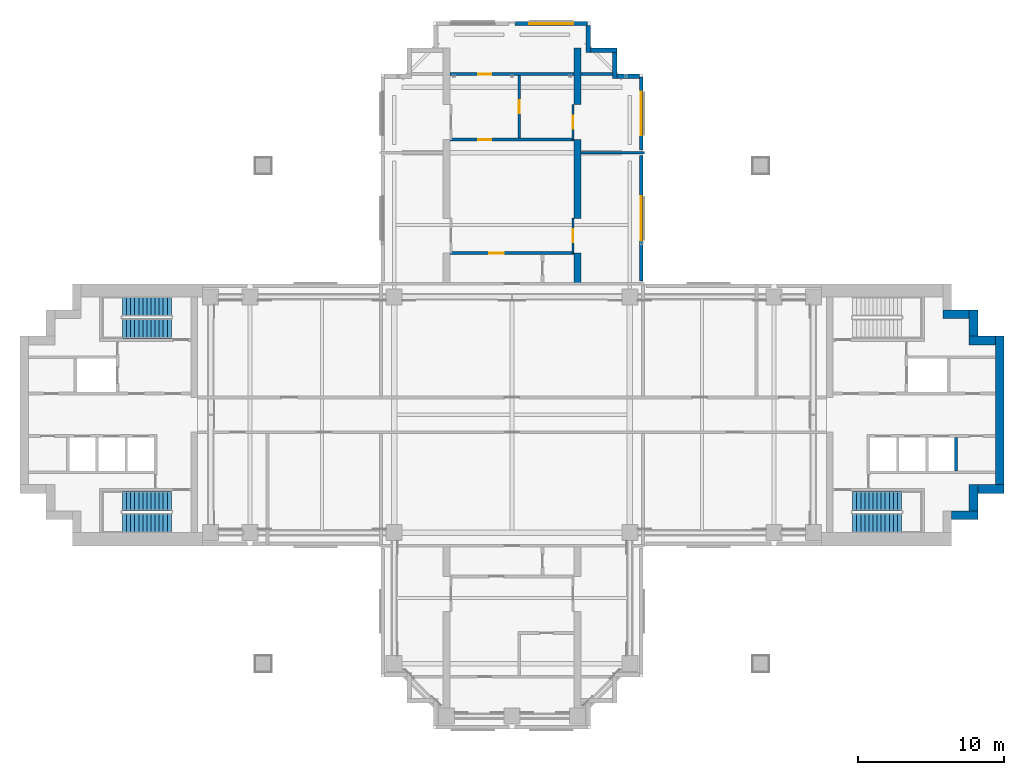
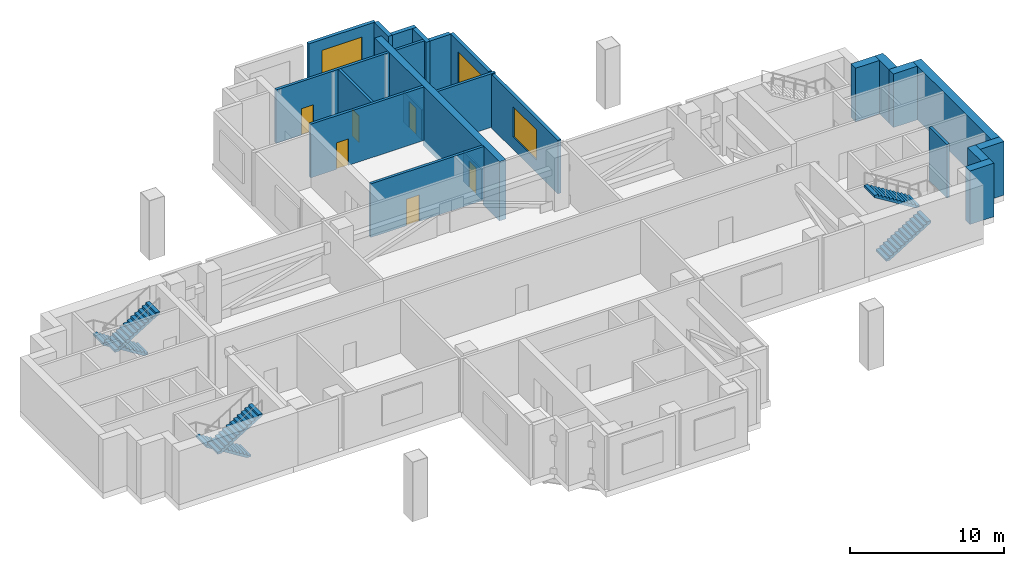
# One storey, part 8 of 11: 24 walls, 6 doors, 6 stair flights, 3 windows, 9 openings, 3 elements without a shape of their own.
"""IFC4 building model written with IfcOpenShell, lengths in metres."""

from ifc_helpers import new_model, si_unit, direction, frame, frame_2d, origin, place, context, subcontext, project, spatial, polyline, rectangle, outline, extrude, material, layer, layer_set, material_profile, profile_set, type_object, element, fill, aggregate, save


model = new_model("IFC4")

# Units and contexts
model_context = context("Model", 3, precision=1e-05, world=origin(), true_north=direction((0.0, 1.0)))
body_context = subcontext(model_context, "Body", "Model", "MODEL_VIEW")
ifc_project = project(units=[si_unit("LENGTHUNIT", "METRE"), si_unit("AREAUNIT", "SQUARE_METRE"), si_unit("VOLUMEUNIT", "CUBIC_METRE"), si_unit("PLANEANGLEUNIT", "RADIAN"), si_unit("MASSUNIT", "GRAM", prefix="KILO")], contexts=[model_context])

# Site, building, storey
site_placement = place(None, origin())
site = spatial("IfcSite", under=ifc_project, at=site_placement, CompositionType="ELEMENT")
building_placement = place(site_placement, origin())
building = spatial("IfcBuilding", under=site, at=building_placement, Name="Perihelion Cross Residences", CompositionType="ELEMENT")
storey_placement = place(building_placement, frame((0.0, 0.0, 162.10009765625)))
storey = spatial("IfcBuildingStorey", under=building, at=storey_placement, Name="L39", CompositionType="ELEMENT", Elevation=162.10009765625)

# Wall, opening, door
ifc_material_1 = material(Name="Plasterboard partition")
ifc_layer_1 = layer(ifc_material_1, 0.199951171875)
ifc_layer_set_1 = layer_set([ifc_layer_1], Name="Apartment riser wall 200")
wall_type_1 = type_object("IfcWallType", Name="Apartment riser wall 200", PredefinedType="PARTITIONING", material=ifc_layer_set_1)
wall_1_placement = place(storey_placement, frame((-4.25, 11.10009765625, 0.0), z_axis=(0.0, 0.0, 1.0), x_axis=(1.0, 0.0, 0.0)))
wall_1 = element("IfcWall", 1, at=wall_1_placement, inside=storey, type_object=wall_type_1, Name="Partition L39 W014", PredefinedType="PARTITIONING", context=body_context, shape_type="SweptSolid", body=[
    extrude(rectangle(XDim=8.5, YDim=0.199951171875, at=frame_2d((4.25, 0.0))), origin(), (0.0, 0.0, 1.0), 4.25),
])
opening_1_placement = place(wall_1_placement, frame((2.675048828125, 0.0, 0.0)))
opening_1 = element("IfcOpeningElement", 2, at=opening_1_placement, cuts=wall_1, Name="Opening L39.A11", PredefinedType="OPENING", context=body_context, shape_type="SweptSolid", body=[
    extrude(rectangle(XDim=1.0, YDim=2.10009765625, at=frame_2d((0.5, 1.050048828125))), frame((0.0, 0.10986328125, 0.0), z_axis=(0.0, -1.0, 0.0), x_axis=(1.0, 0.0, 0.0)), (0.0, 0.0, 1.0), 0.219970703125),
])
ifc_material_2 = material(Name="Steel door leaf", Category="steel")
door_type_1 = type_object("IfcDoorType", Name="Plant floor door 1000 x 2100", OperationType="SINGLE_SWING_LEFT", PredefinedType="DOOR", material=ifc_material_2)
door_1_placement = place(opening_1_placement, origin())
door_1 = element("IfcDoor", 3, at=door_1_placement, inside=storey, type_object=door_type_1, Name="Door L39.A11", OperationType="SINGLE_SWING_RIGHT", OverallHeight=2.10009765625, OverallWidth=1.0, PredefinedType="DOOR", context=body_context, shape_type="SweptSolid", body=[
    extrude(rectangle(XDim=1.0, YDim=2.10009765625, at=frame_2d((0.5, 1.050048828125))), frame((0.0, 0.02490234375, 0.0), z_axis=(0.0, -1.0, 0.0), x_axis=(1.0, 0.0, 0.0)), (0.0, 0.0, 1.0), 0.050048828125),
])
fill(opening_1, door_1)

wall_2_placement = place(storey_placement, frame((-4.25, 18.89990234375, 0.0), z_axis=(0.0, 0.0, 1.0), x_axis=(1.0, 0.0, 0.0)))
wall_2 = element("IfcWall", 4, at=wall_2_placement, inside=storey, type_object=wall_type_1, Name="Partition L39 W015", PredefinedType="PARTITIONING", context=body_context, shape_type="SweptSolid", body=[
    extrude(rectangle(XDim=8.5, YDim=0.199951171875, at=frame_2d((4.25, 0.0))), origin(), (0.0, 0.0, 1.0), 4.25),
])
opening_2_placement = place(wall_2_placement, frame((1.925048828125, 0.0, 0.0)))
opening_2 = element("IfcOpeningElement", 5, at=opening_2_placement, cuts=wall_2, Name="Opening L39.A12", PredefinedType="OPENING", context=body_context, shape_type="SweptSolid", body=[
    extrude(rectangle(XDim=0.89990234375, YDim=2.10009765625, at=frame_2d((0.449951171875, 1.050048828125))), frame((0.0, 0.10986328125, 0.0), z_axis=(0.0, -1.0, 0.0), x_axis=(1.0, 0.0, 0.0)), (0.0, 0.0, 1.0), 0.219970703125),
])
ifc_material_3 = material(Name="Timber door leaf", Category="wood")
door_type_2 = type_object("IfcDoorType", Name="Interior room door 900 x 2100", OperationType="SINGLE_SWING_LEFT", PredefinedType="DOOR", material=ifc_material_3)
door_2_placement = place(opening_2_placement, origin())
door_2 = element("IfcDoor", 6, at=door_2_placement, inside=storey, type_object=door_type_2, Name="Door L39.A12", OperationType="SINGLE_SWING_LEFT", OverallHeight=2.10009765625, OverallWidth=0.89990234375, PredefinedType="DOOR", context=body_context, shape_type="SweptSolid", body=[
    extrude(rectangle(XDim=0.89990234375, YDim=2.10009765625, at=frame_2d((0.449951171875, 1.050048828125))), frame((0.0, 0.02490234375, 0.0), z_axis=(0.0, -1.0, 0.0), x_axis=(1.0, 0.0, 0.0)), (0.0, 0.0, 1.0), 0.050048828125),
])
fill(opening_2, door_2)

wall_3_placement = place(storey_placement, frame((0.5, 23.300048828125, 0.0), z_axis=(0.0, 0.0, 1.0), x_axis=(0.0, -1.0, 0.0)))
wall_3 = element("IfcWall", 7, at=wall_3_placement, inside=storey, type_object=wall_type_1, Name="Partition L39 W016", PredefinedType="PARTITIONING", context=body_context, shape_type="SweptSolid", body=[
    extrude(rectangle(XDim=4.300048828125, YDim=0.199951171875, at=frame_2d((2.14990234375, 0.0))), origin(), (0.0, 0.0, 1.0), 4.25),
])
opening_3_placement = place(wall_3_placement, frame((1.699951171875, 0.0, 0.0)))
opening_3 = element("IfcOpeningElement", 8, at=opening_3_placement, cuts=wall_3, Name="Opening L39.A13", PredefinedType="OPENING", context=body_context, shape_type="SweptSolid", body=[
    extrude(rectangle(XDim=0.89990234375, YDim=2.10009765625, at=frame_2d((0.449951171875, 1.050048828125))), frame((0.0, 0.10986328125, 0.0), z_axis=(0.0, -1.0, 0.0), x_axis=(1.0, 0.0, 0.0)), (0.0, 0.0, 1.0), 0.219970703125),
])
door_3_placement = place(opening_3_placement, origin())
door_3 = element("IfcDoor", 9, at=door_3_placement, inside=storey, type_object=door_type_2, Name="Door L39.A13", OperationType="SINGLE_SWING_RIGHT", OverallHeight=2.10009765625, OverallWidth=0.89990234375, PredefinedType="DOOR", context=body_context, shape_type="SweptSolid", body=[
    extrude(rectangle(XDim=0.89990234375, YDim=2.10009765625, at=frame_2d((0.449951171875, 1.050048828125))), frame((0.0, 0.02490234375, 0.0), z_axis=(0.0, -1.0, 0.0), x_axis=(1.0, 0.0, 0.0)), (0.0, 0.0, 1.0), 0.050048828125),
])
fill(opening_3, door_3)

wall_4_placement = place(storey_placement, frame((-4.25, 23.39990234375, 0.0), z_axis=(0.0, 0.0, 1.0), x_axis=(1.0, 0.0, 0.0)))
wall_4 = element("IfcWall", 10, at=wall_4_placement, inside=storey, type_object=wall_type_1, Name="Partition L39 W017", PredefinedType="PARTITIONING", context=body_context, shape_type="SweptSolid", body=[
    extrude(rectangle(XDim=8.5, YDim=0.199951171875, at=frame_2d((4.25, 0.0))), origin(), (0.0, 0.0, 1.0), 4.25),
])
opening_4_placement = place(wall_4_placement, frame((1.925048828125, 0.0, 0.0)))
opening_4 = element("IfcOpeningElement", 11, at=opening_4_placement, cuts=wall_4, Name="Opening L39.A14", PredefinedType="OPENING", context=body_context, shape_type="SweptSolid", body=[
    extrude(rectangle(XDim=0.89990234375, YDim=2.10009765625, at=frame_2d((0.449951171875, 1.050048828125))), frame((0.0, 0.10986328125, 0.0), z_axis=(0.0, -1.0, 0.0), x_axis=(1.0, 0.0, 0.0)), (0.0, 0.0, 1.0), 0.219970703125),
])
door_4_placement = place(opening_4_placement, origin())
door_4 = element("IfcDoor", 12, at=door_4_placement, inside=storey, type_object=door_type_2, Name="Door L39.A14", OperationType="SINGLE_SWING_RIGHT", OverallHeight=2.10009765625, OverallWidth=0.89990234375, PredefinedType="DOOR", context=body_context, shape_type="SweptSolid", body=[
    extrude(rectangle(XDim=0.89990234375, YDim=2.10009765625, at=frame_2d((0.449951171875, 1.050048828125))), frame((0.0, 0.02490234375, 0.0), z_axis=(0.0, -1.0, 0.0), x_axis=(1.0, 0.0, 0.0)), (0.0, 0.0, 1.0), 0.050048828125),
])
fill(opening_4, door_4)

# Walls
wall_5_placement = place(storey_placement, frame((4.75, 18.0, 0.0), z_axis=(0.0, 0.0, 1.0), x_axis=(1.0, 0.0, 0.0)))
element("IfcWall", 13, at=wall_5_placement, inside=storey, type_object=wall_type_1, Name="Partition L39 W018", PredefinedType="PARTITIONING", context=body_context, shape_type="SweptSolid", body=[
    extrude(rectangle(XDim=4.35009765625, YDim=0.199951171875, at=frame_2d((2.175048828125, 0.0))), origin(), (0.0, 0.0, 1.0), 4.25),
])
wall_6_placement = place(storey_placement, frame((4.75, 23.39990234375, 0.0), z_axis=(0.0, 0.0, 1.0), x_axis=(1.0, 0.0, 0.0)))
element("IfcWall", 14, at=wall_6_placement, inside=storey, type_object=wall_type_1, Name="Partition L39 W019", PredefinedType="PARTITIONING", context=body_context, shape_type="SweptSolid", body=[
    extrude(rectangle(XDim=2.14990234375, YDim=0.199951171875, at=frame_2d((1.074951171875, 0.0))), origin(), (0.0, 0.0, 1.0), 4.25),
])
ifc_material_4 = material(Name="Concrete C30/37, bronze-clad", Category="concrete")
ifc_layer_2 = layer(ifc_material_4, 0.300048828125)
ifc_layer_set_2 = layer_set([ifc_layer_2], Name="Bronze-clad serration wall 300")
wall_type_2 = type_object("IfcWallType", Name="Bronze-clad serration wall 300", PredefinedType="SOLIDWALL", material=ifc_layer_set_2)
wall_7_placement = place(storey_placement, frame((8.75, 23.25, 0.0), z_axis=(0.0, 0.0, 1.0), x_axis=(-1.0, 0.0, 0.0)))
element("IfcWall", 15, at=wall_7_placement, inside=storey, type_object=wall_type_2, Name="Wall SR1 L39 north corner north-east 1", PredefinedType="SOLIDWALL", context=body_context, shape_type="SweptSolid", body=[
    extrude(rectangle(XDim=1.550048828125, YDim=0.300048828125, at=frame_2d((0.77490234375, 0.0))), origin(), (0.0, 0.0, 1.0), 4.25),
])
wall_8_placement = place(storey_placement, frame((7.050048828125, 23.10009765625, 0.0), z_axis=(0.0, 0.0, 1.0), x_axis=(0.0, 1.0, 0.0)))
element("IfcWall", 16, at=wall_8_placement, inside=storey, type_object=wall_type_2, Name="Wall SR1 L39 north corner north-east 2", PredefinedType="SOLIDWALL", context=body_context, shape_type="SweptSolid", body=[
    extrude(rectangle(XDim=1.7998046875, YDim=0.300048828125, at=frame_2d((0.89990234375, 0.0))), origin(), (0.0, 0.0, 1.0), 4.25),
])
wall_9_placement = place(storey_placement, frame((7.199951171875, 25.050048828125, 0.0), z_axis=(0.0, 0.0, 1.0), x_axis=(-1.0, 0.0, 0.0)))
element("IfcWall", 17, at=wall_9_placement, inside=storey, type_object=wall_type_2, Name="Wall SR1 L39 north corner north-east 3", PredefinedType="SOLIDWALL", context=body_context, shape_type="SweptSolid", body=[
    extrude(rectangle(XDim=1.800048828125, YDim=0.300048828125, at=frame_2d((0.89990234375, 0.0))), origin(), (0.0, 0.0, 1.0), 4.25),
])
wall_10_placement = place(storey_placement, frame((5.25, 24.89990234375, 0.0), z_axis=(0.0, 0.0, 1.0), x_axis=(0.0, 1.0, 0.0)))
element("IfcWall", 18, at=wall_10_placement, inside=storey, type_object=wall_type_2, Name="Wall SR1 L39 north corner north-east 4", PredefinedType="SOLIDWALL", context=body_context, shape_type="SweptSolid", body=[
    extrude(rectangle(XDim=1.85009765625, YDim=0.300048828125, at=frame_2d((0.925048828125, 0.0))), origin(), (0.0, 0.0, 1.0), 4.25),
])
ifc_material_5 = material(Name="Concrete C60/75", Category="concrete")
ifc_layer_3 = layer(ifc_material_5, 0.60009765625)
ifc_layer_set_3 = layer_set([ifc_layer_3], Name="Core wall, outer 600")
wall_type_3 = type_object("IfcWallType", Name="Core wall, outer 600", PredefinedType="SHEAR", material=ifc_layer_set_3)
for number, where, z_axis, x_axis, name in (
    (19, (30.199951171875, -6.89990234375, 0.0), (0.0, 0.0, 1.0), (1.0, 0.0, 0.0), "East core core wall, outer"),
    (20, (31.699951171875, -6.60009765625, 0.0), (0.0, 0.0, 1.0), (0.0, 1.0, 0.0), "East core core wall, outer"),
    (21, (32.0, -5.10009765625, 0.0), (0.0, 0.0, 1.0), (1.0, 0.0, 0.0), "East core core wall, outer"),
):
    element("IfcWall", number, at=place(storey_placement, frame(where, z_axis=z_axis, x_axis=x_axis)), inside=storey, type_object=wall_type_3, Name=name, PredefinedType="SHEAR", context=body_context, shape_type="SweptSolid", body=[
        extrude(rectangle(XDim=1.800048828125, YDim=0.60009765625, at=frame_2d((0.89990234375, 0.0))), origin(), (0.0, 0.0, 1.0), 4.25),
    ])
wall_11_placement = place(storey_placement, frame((33.5, -4.800048828125, 0.0), z_axis=(0.0, 0.0, 1.0), x_axis=(0.0, 1.0, 0.0)))
element("IfcWall", 22, at=wall_11_placement, inside=storey, type_object=wall_type_3, Name="East core core wall, outer", PredefinedType="SHEAR", context=body_context, shape_type="SweptSolid", body=[
    extrude(rectangle(XDim=10.199951171875, YDim=0.60009765625, at=frame_2d((5.10009765625, 0.0))), origin(), (0.0, 0.0, 1.0), 4.25),
])
for number, where, z_axis, x_axis, name in (
    (23, (31.39990234375, 5.10009765625, 0.0), (0.0, 0.0, 1.0), (1.0, 0.0, 0.0), "East core core wall, outer"),
    (24, (31.699951171875, 5.39990234375, 0.0), (0.0, 0.0, 1.0), (0.0, 1.0, 0.0), "East core core wall, outer"),
):
    element("IfcWall", number, at=place(storey_placement, frame(where, z_axis=z_axis, x_axis=x_axis)), inside=storey, type_object=wall_type_3, Name=name, PredefinedType="SHEAR", context=body_context, shape_type="SweptSolid", body=[
        extrude(rectangle(XDim=1.800048828125, YDim=0.60009765625, at=frame_2d((0.89990234375, 0.0))), origin(), (0.0, 0.0, 1.0), 4.25),
    ])
wall_12_placement = place(storey_placement, frame((29.60009765625, 6.89990234375, 0.0), z_axis=(0.0, 0.0, 1.0), x_axis=(1.0, 0.0, 0.0)))
element("IfcWall", 25, at=wall_12_placement, inside=storey, type_object=wall_type_3, Name="East core core wall, outer", PredefinedType="SHEAR", context=body_context, shape_type="SweptSolid", body=[
    extrude(rectangle(XDim=1.7998046875, YDim=0.60009765625, at=frame_2d((0.89990234375, 0.0))), origin(), (0.0, 0.0, 1.0), 4.25),
])

# Wall, opening, door
ifc_material_6 = material(Name="Plasterboard partition")
ifc_layer_4 = layer(ifc_material_6, 0.1201171875)
ifc_layer_set_4 = layer_set([ifc_layer_4], Name="Infill panel 120")
wall_type_4 = type_object("IfcWallType", Name="Infill panel 120", PredefinedType="PARTITIONING", material=ifc_layer_set_4)
wall_13_placement = place(storey_placement, frame((4.18994140625, 11.10009765625, 0.0), z_axis=(0.0, 0.0, 1.0), x_axis=(0.0, 1.0, 0.0)))
wall_13 = element("IfcWall", 26, at=wall_13_placement, inside=storey, type_object=wall_type_4, Name="Partition L39 WI01", PredefinedType="PARTITIONING", context=body_context, shape_type="SweptSolid", body=[
    extrude(rectangle(XDim=2.39990234375, YDim=0.1201171875, at=frame_2d((1.199951171875, 0.0))), origin(), (0.0, 0.0, 1.0), 2.39990234375),
])
opening_5_placement = place(wall_13_placement, frame((0.75, 0.0, 0.0)))
opening_5 = element("IfcOpeningElement", 27, at=opening_5_placement, cuts=wall_13, Name="Opening L39.A20", PredefinedType="OPENING", context=body_context, shape_type="SweptSolid", body=[
    extrude(rectangle(XDim=0.89990234375, YDim=2.10009765625, at=frame_2d((0.449951171875, 1.050048828125))), frame((0.0, 0.070068359375, 0.0), z_axis=(0.0, -1.0, 0.0), x_axis=(1.0, 0.0, 0.0)), (0.0, 0.0, 1.0), 0.14013671875),
])
door_5_placement = place(opening_5_placement, origin())
door_5 = element("IfcDoor", 28, at=door_5_placement, inside=storey, type_object=door_type_2, Name="Door L39.A20", OperationType="SINGLE_SWING_RIGHT", OverallHeight=2.10009765625, OverallWidth=0.89990234375, PredefinedType="DOOR", context=body_context, shape_type="SweptSolid", body=[
    extrude(rectangle(XDim=0.89990234375, YDim=2.10009765625, at=frame_2d((0.449951171875, 1.050048828125))), frame((0.0, 0.02490234375, 0.0), z_axis=(0.0, -1.0, 0.0), x_axis=(1.0, 0.0, 0.0)), (0.0, 0.0, 1.0), 0.050048828125),
])
fill(opening_5, door_5)

wall_14_placement = place(storey_placement, frame((4.18994140625, 18.89990234375, 0.0), z_axis=(0.0, 0.0, 1.0), x_axis=(0.0, 1.0, 0.0)))
wall_14 = element("IfcWall", 29, at=wall_14_placement, inside=storey, type_object=wall_type_4, Name="Partition L39 WI02", PredefinedType="PARTITIONING", context=body_context, shape_type="SweptSolid", body=[
    extrude(rectangle(XDim=2.400146484375, YDim=0.1201171875, at=frame_2d((1.2001953125, 0.0))), origin(), (0.0, 0.0, 1.0), 2.39990234375),
])
opening_6_placement = place(wall_14_placement, frame((0.75, 0.0, 0.0)))
opening_6 = element("IfcOpeningElement", 30, at=opening_6_placement, cuts=wall_14, Name="Opening L39.A21", PredefinedType="OPENING", context=body_context, shape_type="SweptSolid", body=[
    extrude(rectangle(XDim=0.89990234375, YDim=2.10009765625, at=frame_2d((0.449951171875, 1.050048828125))), frame((0.0, 0.070068359375, 0.0), z_axis=(0.0, -1.0, 0.0), x_axis=(1.0, 0.0, 0.0)), (0.0, 0.0, 1.0), 0.14013671875),
])
door_6_placement = place(opening_6_placement, origin())
door_6 = element("IfcDoor", 31, at=door_6_placement, inside=storey, type_object=door_type_2, Name="Door L39.A21", OperationType="SINGLE_SWING_LEFT", OverallHeight=2.10009765625, OverallWidth=0.89990234375, PredefinedType="DOOR", context=body_context, shape_type="SweptSolid", body=[
    extrude(rectangle(XDim=0.89990234375, YDim=2.10009765625, at=frame_2d((0.449951171875, 1.050048828125))), frame((0.0, 0.02490234375, 0.0), z_axis=(0.0, -1.0, 0.0), x_axis=(1.0, 0.0, 0.0)), (0.0, 0.0, 1.0), 0.050048828125),
])
fill(opening_6, door_6)

# Wall, opening, window
ifc_material_7 = material(Name="Concrete C30/37, bronze-clad", Category="concrete")
ifc_layer_5 = layer(ifc_material_7, 0.25)
ifc_layer_set_5 = layer_set([ifc_layer_5], Name="Louvre bay wall 250")
wall_type_5 = type_object("IfcWallType", Name="Louvre bay wall 250", PredefinedType="SOLIDWALL", material=ifc_layer_set_5)
wall_15_placement = place(storey_placement, frame((8.875, 9.199951171875, 0.0), z_axis=(0.0, 0.0, 1.0), x_axis=(0.0, 1.0, 0.0)))
wall_15 = element("IfcWall", 32, at=wall_15_placement, inside=storey, type_object=wall_type_5, Name="Wall FW2 L39 north side east bay 1 louvre", PredefinedType="SOLIDWALL", context=body_context, shape_type="SweptSolid", body=[
    extrude(rectangle(XDim=8.60009765625, YDim=0.25, at=frame_2d((4.300048828125, 0.0))), origin(), (0.0, 0.0, 1.0), 4.25),
])
opening_7_placement = place(wall_15_placement, frame((2.800048828125, 0.0, 1.0)))
opening_7 = element("IfcOpeningElement", 33, at=opening_7_placement, cuts=wall_15, Name="Opening L39.W01", PredefinedType="OPENING", context=body_context, shape_type="SweptSolid", body=[
    extrude(rectangle(XDim=3.0, YDim=2.39990234375, at=frame_2d((1.5, 1.199951171875))), frame((0.0, 0.135009765625, 0.0), z_axis=(0.0, -1.0, 0.0), x_axis=(1.0, 0.0, 0.0)), (0.0, 0.0, 1.0), 0.27001953125),
])
ifc_material_8 = material(Name="Bronze anodised aluminium, louvred", Category="aluminium")
window_type = type_object("IfcWindowType", Name="Louvred vent 3000 x 2400", PartitioningType="SINGLE_PANEL", PredefinedType="WINDOW", material=ifc_material_8)
window_1_placement = place(opening_7_placement, origin())
window_1 = element("IfcWindow", 34, at=window_1_placement, inside=storey, type_object=window_type, Name="Window L39.W01 north side east bay 1 vent", OverallHeight=2.39990234375, OverallWidth=3.0, PartitioningType="SINGLE_PANEL", PredefinedType="WINDOW", context=body_context, shape_type="SweptSolid", body=[
    extrude(rectangle(XDim=3.0, YDim=2.39990234375, at=frame_2d((1.5, 1.199951171875))), frame((0.0, 0.030029296875, 0.0), z_axis=(0.0, -1.0, 0.0), x_axis=(1.0, 0.0, 0.0)), (0.0, 0.0, 1.0), 0.06005859375),
])
fill(opening_7, window_1)

wall_16_placement = place(storey_placement, frame((8.875, 18.199951171875, 0.0), z_axis=(0.0, 0.0, 1.0), x_axis=(0.0, 1.0, 0.0)))
wall_16 = element("IfcWall", 35, at=wall_16_placement, inside=storey, type_object=wall_type_5, Name="Wall FW2 L39 north side east bay 2 louvre", PredefinedType="SOLIDWALL", context=body_context, shape_type="SweptSolid", body=[
    extrude(rectangle(XDim=5.0, YDim=0.25, at=frame_2d((2.5, 0.0))), origin(), (0.0, 0.0, 1.0), 4.25),
])
opening_8_placement = place(wall_16_placement, frame((1.0, 0.0, 1.0)))
opening_8 = element("IfcOpeningElement", 36, at=opening_8_placement, cuts=wall_16, Name="Opening L39.W02", PredefinedType="OPENING", context=body_context, shape_type="SweptSolid", body=[
    extrude(rectangle(XDim=3.0, YDim=2.39990234375, at=frame_2d((1.5, 1.199951171875))), frame((0.0, 0.135009765625, 0.0), z_axis=(0.0, -1.0, 0.0), x_axis=(1.0, 0.0, 0.0)), (0.0, 0.0, 1.0), 0.27001953125),
])
window_2_placement = place(opening_8_placement, origin())
window_2 = element("IfcWindow", 37, at=window_2_placement, inside=storey, type_object=window_type, Name="Window L39.W02 north side east bay 2 vent", OverallHeight=2.39990234375, OverallWidth=3.0, PartitioningType="SINGLE_PANEL", PredefinedType="WINDOW", context=body_context, shape_type="SweptSolid", body=[
    extrude(rectangle(XDim=3.0, YDim=2.39990234375, at=frame_2d((1.5, 1.199951171875))), frame((0.0, 0.030029296875, 0.0), z_axis=(0.0, -1.0, 0.0), x_axis=(1.0, 0.0, 0.0)), (0.0, 0.0, 1.0), 0.06005859375),
])
fill(opening_8, window_2)

wall_17_placement = place(storey_placement, frame((5.199951171875, 26.875, 0.0), z_axis=(0.0, 0.0, 1.0), x_axis=(-1.0, 0.0, 0.0)))
wall_17 = element("IfcWall", 38, at=wall_17_placement, inside=storey, type_object=wall_type_5, Name="Wall FW2 L39 north tip north bay 1 louvre", PredefinedType="SOLIDWALL", context=body_context, shape_type="SweptSolid", body=[
    extrude(rectangle(XDim=5.0, YDim=0.25, at=frame_2d((2.5, 0.0))), origin(), (0.0, 0.0, 1.0), 4.25),
])
opening_9_placement = place(wall_17_placement, frame((1.0, 0.0, 1.0)))
opening_9 = element("IfcOpeningElement", 39, at=opening_9_placement, cuts=wall_17, Name="Opening L39.W03", PredefinedType="OPENING", context=body_context, shape_type="SweptSolid", body=[
    extrude(rectangle(XDim=3.0, YDim=2.39990234375, at=frame_2d((1.5, 1.199951171875))), frame((0.0, 0.135009765625, 0.0), z_axis=(0.0, -1.0, 0.0), x_axis=(1.0, 0.0, 0.0)), (0.0, 0.0, 1.0), 0.27001953125),
])
window_3_placement = place(opening_9_placement, origin())
window_3 = element("IfcWindow", 40, at=window_3_placement, inside=storey, type_object=window_type, Name="Window L39.W03 north tip north bay 1 vent", OverallHeight=2.39990234375, OverallWidth=3.0, PartitioningType="SINGLE_PANEL", PredefinedType="WINDOW", context=body_context, shape_type="SweptSolid", body=[
    extrude(rectangle(XDim=3.0, YDim=2.39990234375, at=frame_2d((1.5, 1.199951171875))), frame((0.0, 0.030029296875, 0.0), z_axis=(0.0, -1.0, 0.0), x_axis=(1.0, 0.0, 0.0)), (0.0, 0.0, 1.0), 0.06005859375),
])
fill(opening_9, window_3)

# Walls
ifc_material_9 = material(Name="Concrete C50/60", Category="concrete")
ifc_layer_6 = layer(ifc_material_9, 0.199951171875)
ifc_layer_set_6 = layer_set([ifc_layer_6], Name="Shaft wall 200")
wall_type_6 = type_object("IfcWallType", Name="Shaft wall 200", PredefinedType="SOLIDWALL", material=ifc_layer_set_6)
wall_18_placement = place(storey_placement, frame((30.5, -3.85009765625, 0.0), z_axis=(0.0, 0.0, 1.0), x_axis=(0.0, 1.0, 0.0)))
element("IfcWall", 41, at=wall_18_placement, inside=storey, type_object=wall_type_6, Name="East core shaft wall", PredefinedType="SOLIDWALL", context=body_context, shape_type="SweptSolid", body=[
    extrude(rectangle(XDim=2.300048828125, YDim=0.199951171875, at=frame_2d((1.14990234375, 0.0))), origin(), (0.0, 0.0, 1.0), 4.25),
])
ifc_material_10 = material(Name="Concrete C60/75", Category="concrete")
ifc_material_profile = material_profile(ifc_material_10, outline(polyline([(0.0, 0.0), (2.10009765625, 0.0), (2.10009765625, 2.85009765625), (4.5, 2.85009765625), (4.5, 0.0), (9.89990234375, 0.0), (9.89990234375, 2.85009765625), (12.300048828125, 2.85009765625), (12.300048828125, 0.0), (16.199951171875, 0.0), (16.199951171875, 4.699951171875), (0.0, 4.699951171875), (0.0, 0.0)])), Name="Tip spine wall")
ifc_profile_set = profile_set([ifc_material_profile], Name="Concrete C60/75")
wall_type_7 = type_object("IfcWallType", Name="Tip spine wall 500 with 2 door openings 16200 long 4700 high concrete C60/75 hand B", PredefinedType="SHEAR", material=ifc_profile_set)
wall_19_placement = place(storey_placement, frame((4.25, 9.0, -0.4501953125), z_axis=(1.0, 0.0, 0.0), x_axis=(0.0, 1.0, 0.0)))
element("IfcWall", 42, at=wall_19_placement, inside=storey, type_object=wall_type_7, Name="Shear wall SW40 L39 north east", PredefinedType="SHEAR", context=body_context, shape_type="SweptSolid", body=[
    extrude(outline(polyline([(0.0, 0.0), (2.10009765625, 0.0), (2.10009765625, 2.85009765625), (4.5, 2.85009765625), (4.5, 0.0), (9.89990234375, 0.0), (9.89990234375, 2.85009765625), (12.300048828125, 2.85009765625), (12.300048828125, 0.0), (16.199951171875, 0.0), (16.199951171875, 4.699951171875), (0.0, 4.699951171875), (0.0, 0.0)])), origin(), (0.0, 0.0, 1.0), 0.5),
])

# Stair, stair flights
ifc_material_11 = material(Name="Concrete C40/50", Category="concrete")
stair_type = type_object("IfcStairType", Name="Exit stair, half-turn", PredefinedType="HALF_TURN_STAIR", material=ifc_material_11)
stair_1_placement = place(storey_placement, origin())
stair_1 = element("IfcStair", 43, at=stair_1_placement, inside=storey, type_object=stair_type, Name="L39 East core exit stair 2", PredefinedType="HALF_TURN_STAIR")
ifc_material_12 = material(Name="Concrete C40/50", Category="concrete")
stair_flight_type = type_object("IfcStairFlightType", Name="Exit stair flight", PredefinedType="STRAIGHT", material=ifc_material_12)
stair_flight_1_placement = place(storey_placement, frame((23.39990234375, -7.425048828125, 0.0), z_axis=(0.0, 0.0, 1.0), x_axis=(1.0, 0.0, 0.0)))
stair_flight_1 = element("IfcStairFlight", 44, at=stair_flight_1_placement, type_object=stair_flight_type, Name="ST-E2 flight 1", NumberOfRisers=13, NumberOfTreads=12, PredefinedType="STRAIGHT", RiserHeight=0.173076923, TreadLength=0.28, context=body_context, shape_type="SweptSolid", body=[
    extrude(outline(polyline([(0.0, 0.0), (0.0, 0.173095703125), (0.280029296875, 0.173095703125), (0.280029296875, 0.34619140625), (0.56005859375, 0.34619140625), (0.56005859375, 0.519287109375), (0.840087890625, 0.519287109375), (0.840087890625, 0.6923828125), (1.1201171875, 0.6923828125), (1.1201171875, 0.865478515625), (1.39990234375, 0.865478515625), (1.39990234375, 1.03857421875), (1.679931640625, 1.03857421875), (1.679931640625, 1.21142578125), (1.9599609375, 1.21142578125), (1.9599609375, 1.384521484375), (2.239990234375, 1.384521484375), (2.239990234375, 1.5576171875), (2.52001953125, 1.5576171875), (2.52001953125, 1.730712890625), (2.800048828125, 1.730712890625), (2.800048828125, 1.90380859375), (3.080078125, 1.90380859375), (3.080078125, 2.076904296875), (3.360107421875, 2.076904296875), (3.360107421875, 2.25), (3.360107421875, 1.900634765625), (0.28515625, 0.0), (0.0, 0.0)])), frame((0.0, 0.675048828125, 0.0), z_axis=(0.0, -1.0, 0.0), x_axis=(1.0, 0.0, 0.0)), (0.0, 0.0, 1.0), 1.35009765625),
])
stair_flight_2_placement = place(storey_placement, frame((26.760009765625, -5.925048828125, 2.25), z_axis=(0.0, 0.0, 1.0), x_axis=(-1.0, 0.0, 0.0)))
stair_flight_2 = element("IfcStairFlight", 45, at=stair_flight_2_placement, type_object=stair_flight_type, Name="ST-E2 flight 2", NumberOfRisers=13, NumberOfTreads=12, PredefinedType="STRAIGHT", RiserHeight=0.173076923, TreadLength=0.28, context=body_context, shape_type="SweptSolid", body=[
    extrude(outline(polyline([(0.0, 0.0), (0.0, 0.173095703125), (0.280029296875, 0.173095703125), (0.280029296875, 0.34619140625), (0.56005859375, 0.34619140625), (0.56005859375, 0.519287109375), (0.840087890625, 0.519287109375), (0.840087890625, 0.6923828125), (1.1201171875, 0.6923828125), (1.1201171875, 0.865478515625), (1.39990234375, 0.865478515625), (1.39990234375, 1.03857421875), (1.679931640625, 1.03857421875), (1.679931640625, 1.21142578125), (1.9599609375, 1.21142578125), (1.9599609375, 1.384521484375), (2.239990234375, 1.384521484375), (2.239990234375, 1.5576171875), (2.52001953125, 1.5576171875), (2.52001953125, 1.730712890625), (2.800048828125, 1.730712890625), (2.800048828125, 1.90380859375), (3.080078125, 1.90380859375), (3.080078125, 2.076904296875), (3.360107421875, 2.076904296875), (3.360107421875, 2.25), (3.360107421875, 1.900634765625), (0.28515625, 0.0), (0.0, 0.0)])), frame((0.0, 0.675048828125, 0.0), z_axis=(0.0, -1.0, 0.0), x_axis=(1.0, 0.0, 0.0)), (0.0, 0.0, 1.0), 1.35009765625),
])
aggregate(stair_1, [stair_flight_1, stair_flight_2])

stair_2_placement = place(storey_placement, origin())
stair_2 = element("IfcStair", 46, at=stair_2_placement, inside=storey, type_object=stair_type, Name="L39 West core exit stair 1", PredefinedType="HALF_TURN_STAIR")
stair_flight_3_placement = place(storey_placement, frame((-23.39990234375, 7.425048828125, 0.0), z_axis=(0.0, 0.0, 1.0), x_axis=(-1.0, 0.0, 0.0)))
stair_flight_3 = element("IfcStairFlight", 47, at=stair_flight_3_placement, type_object=stair_flight_type, Name="ST-W1 flight 1", NumberOfRisers=13, NumberOfTreads=12, PredefinedType="STRAIGHT", RiserHeight=0.173076923, TreadLength=0.28, context=body_context, shape_type="SweptSolid", body=[
    extrude(outline(polyline([(0.0, 0.0), (0.0, 0.173095703125), (0.280029296875, 0.173095703125), (0.280029296875, 0.34619140625), (0.56005859375, 0.34619140625), (0.56005859375, 0.519287109375), (0.840087890625, 0.519287109375), (0.840087890625, 0.6923828125), (1.1201171875, 0.6923828125), (1.1201171875, 0.865478515625), (1.39990234375, 0.865478515625), (1.39990234375, 1.03857421875), (1.679931640625, 1.03857421875), (1.679931640625, 1.21142578125), (1.9599609375, 1.21142578125), (1.9599609375, 1.384521484375), (2.239990234375, 1.384521484375), (2.239990234375, 1.5576171875), (2.52001953125, 1.5576171875), (2.52001953125, 1.730712890625), (2.800048828125, 1.730712890625), (2.800048828125, 1.90380859375), (3.080078125, 1.90380859375), (3.080078125, 2.076904296875), (3.360107421875, 2.076904296875), (3.360107421875, 2.25), (3.360107421875, 1.900634765625), (0.28515625, 0.0), (0.0, 0.0)])), frame((0.0, 0.675048828125, 0.0), z_axis=(0.0, -1.0, 0.0), x_axis=(1.0, 0.0, 0.0)), (0.0, 0.0, 1.0), 1.35009765625),
])
stair_flight_4_placement = place(storey_placement, frame((-26.760009765625, 5.925048828125, 2.25), z_axis=(0.0, 0.0, 1.0), x_axis=(1.0, 0.0, 0.0)))
stair_flight_4 = element("IfcStairFlight", 48, at=stair_flight_4_placement, type_object=stair_flight_type, Name="ST-W1 flight 2", NumberOfRisers=13, NumberOfTreads=12, PredefinedType="STRAIGHT", RiserHeight=0.173076923, TreadLength=0.28, context=body_context, shape_type="SweptSolid", body=[
    extrude(outline(polyline([(0.0, 0.0), (0.0, 0.173095703125), (0.280029296875, 0.173095703125), (0.280029296875, 0.34619140625), (0.56005859375, 0.34619140625), (0.56005859375, 0.519287109375), (0.840087890625, 0.519287109375), (0.840087890625, 0.6923828125), (1.1201171875, 0.6923828125), (1.1201171875, 0.865478515625), (1.39990234375, 0.865478515625), (1.39990234375, 1.03857421875), (1.679931640625, 1.03857421875), (1.679931640625, 1.21142578125), (1.9599609375, 1.21142578125), (1.9599609375, 1.384521484375), (2.239990234375, 1.384521484375), (2.239990234375, 1.5576171875), (2.52001953125, 1.5576171875), (2.52001953125, 1.730712890625), (2.800048828125, 1.730712890625), (2.800048828125, 1.90380859375), (3.080078125, 1.90380859375), (3.080078125, 2.076904296875), (3.360107421875, 2.076904296875), (3.360107421875, 2.25), (3.360107421875, 1.900634765625), (0.28515625, 0.0), (0.0, 0.0)])), frame((0.0, 0.675048828125, 0.0), z_axis=(0.0, -1.0, 0.0), x_axis=(1.0, 0.0, 0.0)), (0.0, 0.0, 1.0), 1.35009765625),
])
aggregate(stair_2, [stair_flight_3, stair_flight_4])

stair_3_placement = place(storey_placement, origin())
stair_3 = element("IfcStair", 49, at=stair_3_placement, inside=storey, type_object=stair_type, Name="L39 West core exit stair 2", PredefinedType="HALF_TURN_STAIR")
stair_flight_5_placement = place(storey_placement, frame((-23.39990234375, -5.925048828125, 0.0), z_axis=(0.0, 0.0, 1.0), x_axis=(-1.0, 0.0, 0.0)))
stair_flight_5 = element("IfcStairFlight", 50, at=stair_flight_5_placement, type_object=stair_flight_type, Name="ST-W2 flight 1", NumberOfRisers=13, NumberOfTreads=12, PredefinedType="STRAIGHT", RiserHeight=0.173076923, TreadLength=0.28, context=body_context, shape_type="SweptSolid", body=[
    extrude(outline(polyline([(0.0, 0.0), (0.0, 0.173095703125), (0.280029296875, 0.173095703125), (0.280029296875, 0.34619140625), (0.56005859375, 0.34619140625), (0.56005859375, 0.519287109375), (0.840087890625, 0.519287109375), (0.840087890625, 0.6923828125), (1.1201171875, 0.6923828125), (1.1201171875, 0.865478515625), (1.39990234375, 0.865478515625), (1.39990234375, 1.03857421875), (1.679931640625, 1.03857421875), (1.679931640625, 1.21142578125), (1.9599609375, 1.21142578125), (1.9599609375, 1.384521484375), (2.239990234375, 1.384521484375), (2.239990234375, 1.5576171875), (2.52001953125, 1.5576171875), (2.52001953125, 1.730712890625), (2.800048828125, 1.730712890625), (2.800048828125, 1.90380859375), (3.080078125, 1.90380859375), (3.080078125, 2.076904296875), (3.360107421875, 2.076904296875), (3.360107421875, 2.25), (3.360107421875, 1.900634765625), (0.28515625, 0.0), (0.0, 0.0)])), frame((0.0, 0.675048828125, 0.0), z_axis=(0.0, -1.0, 0.0), x_axis=(1.0, 0.0, 0.0)), (0.0, 0.0, 1.0), 1.35009765625),
])
stair_flight_6_placement = place(storey_placement, frame((-26.760009765625, -7.425048828125, 2.25), z_axis=(0.0, 0.0, 1.0), x_axis=(1.0, 0.0, 0.0)))
stair_flight_6 = element("IfcStairFlight", 51, at=stair_flight_6_placement, type_object=stair_flight_type, Name="ST-W2 flight 2", NumberOfRisers=13, NumberOfTreads=12, PredefinedType="STRAIGHT", RiserHeight=0.173076923, TreadLength=0.28, context=body_context, shape_type="SweptSolid", body=[
    extrude(outline(polyline([(0.0, 0.0), (0.0, 0.173095703125), (0.280029296875, 0.173095703125), (0.280029296875, 0.34619140625), (0.56005859375, 0.34619140625), (0.56005859375, 0.519287109375), (0.840087890625, 0.519287109375), (0.840087890625, 0.6923828125), (1.1201171875, 0.6923828125), (1.1201171875, 0.865478515625), (1.39990234375, 0.865478515625), (1.39990234375, 1.03857421875), (1.679931640625, 1.03857421875), (1.679931640625, 1.21142578125), (1.9599609375, 1.21142578125), (1.9599609375, 1.384521484375), (2.239990234375, 1.384521484375), (2.239990234375, 1.5576171875), (2.52001953125, 1.5576171875), (2.52001953125, 1.730712890625), (2.800048828125, 1.730712890625), (2.800048828125, 1.90380859375), (3.080078125, 1.90380859375), (3.080078125, 2.076904296875), (3.360107421875, 2.076904296875), (3.360107421875, 2.25), (3.360107421875, 1.900634765625), (0.28515625, 0.0), (0.0, 0.0)])), frame((0.0, 0.675048828125, 0.0), z_axis=(0.0, -1.0, 0.0), x_axis=(1.0, 0.0, 0.0)), (0.0, 0.0, 1.0), 1.35009765625),
])
aggregate(stair_3, [stair_flight_5, stair_flight_6])

save(model, "model.ifc")
